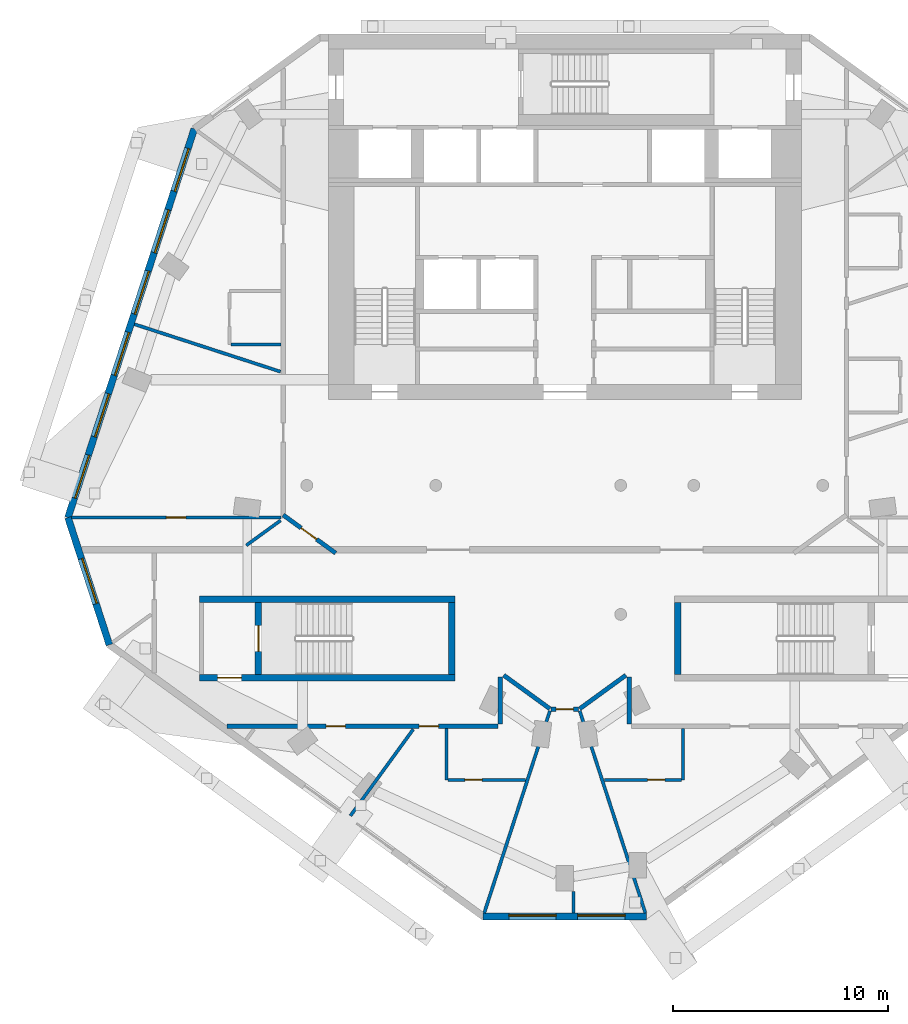
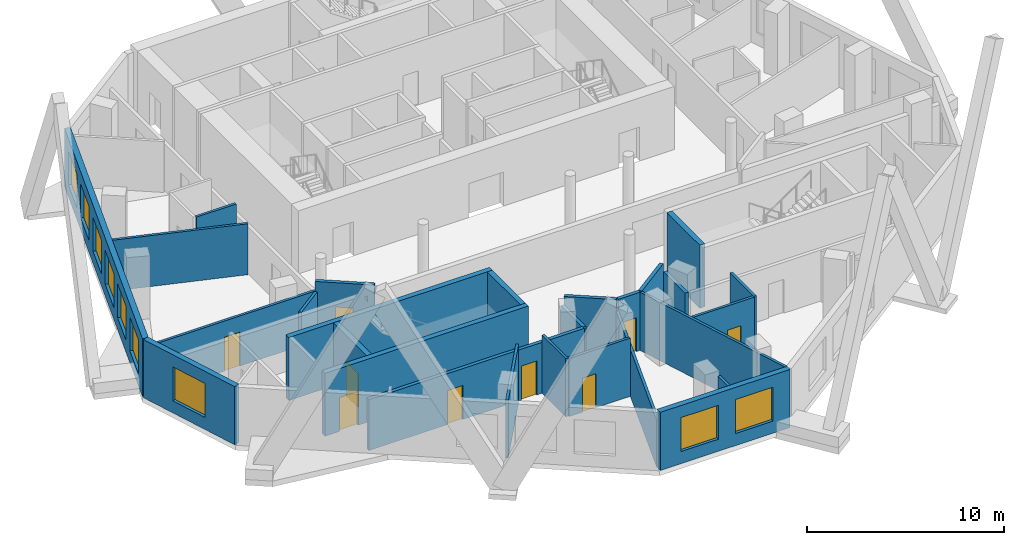
# One storey, part 3 of 9: 27 walls, 9 doors, 9 windows, 18 openings.
"""IFC4 building model written with IfcOpenShell, lengths in metres."""

from ifc_helpers import new_model, si_unit, direction, frame, frame_2d, origin, place, context, subcontext, project, spatial, rectangle, extrude, material, layer, layer_set, type_object, element, fill, save


model = new_model("IFC4")

# Units and contexts
model_context = context("Model", 3, precision=1e-05, world=origin(), true_north=direction((0.0, 1.0)))
body_context = subcontext(model_context, "Body", "Model", "MODEL_VIEW")
ifc_project = project(units=[si_unit("LENGTHUNIT", "METRE"), si_unit("AREAUNIT", "SQUARE_METRE"), si_unit("VOLUMEUNIT", "CUBIC_METRE"), si_unit("PLANEANGLEUNIT", "RADIAN"), si_unit("MASSUNIT", "GRAM", prefix="KILO")], contexts=[model_context])

# Site, building, storey
site_placement = place(None, origin())
site = spatial("IfcSite", under=ifc_project, at=site_placement, CompositionType="ELEMENT")
building_placement = place(site_placement, origin())
building = spatial("IfcBuilding", under=site, at=building_placement, Name="White Candle Pilgrim Tower", CompositionType="ELEMENT")
storey_placement = place(building_placement, frame((0.0, 0.0, 271.699951171875)))
storey = spatial("IfcBuildingStorey", under=building, at=storey_placement, Name="L64", CompositionType="ELEMENT", Elevation=271.699951171875)

# Wall, opening, door
ifc_material_1 = material(Name="Gypsum board on steel studs", Category="steel")
ifc_layer_1 = layer(ifc_material_1, 0.199951171875)
ifc_layer_set_1 = layer_set([ifc_layer_1], Name="Corridor wall 200 mm EI 45")
wall_type_1 = type_object("IfcWallType", Name="Corridor wall 200 mm EI 45", PredefinedType="PARTITIONING", material=ifc_layer_set_1)
wall_1_placement = place(storey_placement, frame((59.342041015625, 63.85009765625, 0.0), z_axis=(0.0, 0.0, 1.0), x_axis=(-0.809040258859, 0.587753230144, 0.0)))
wall_1 = element("IfcWall", 1, at=wall_1_placement, inside=storey, type_object=wall_type_1, Name="WL-L64-P002", PredefinedType="PARTITIONING", context=body_context, shape_type="SweptSolid", body=[
    extrude(rectangle(XDim=3.0185546875, YDim=0.199951171875, at=frame_2d((1.50927734375, 0.0))), origin(), (0.0, 0.0, 1.0), 3.60009765625),
])
opening_1_placement = place(wall_1_placement, frame((1.092041015625, 0.0, 0.0)))
opening_1 = element("IfcOpeningElement", 2, at=opening_1_placement, cuts=wall_1, Name="Opening T20-123", PredefinedType="OPENING", context=body_context, shape_type="SweptSolid", body=[
    extrude(rectangle(XDim=0.89990234375, YDim=2.10009765625, at=frame_2d((0.449951171875, 1.050048828125))), frame((0.0, 0.10986328125, 0.0), z_axis=(0.0, -1.0, 0.0), x_axis=(1.0, 0.0, 0.0)), (0.0, 0.0, 1.0), 0.219970703125),
])
ifc_material_2 = material(Name="Steel door leaf", Category="steel")
door_type_1 = type_object("IfcDoorType", Name="Fire door 900 x 2100 EI 30", OperationType="NOTDEFINED", PredefinedType="DOOR", material=ifc_material_2)
door_1_placement = place(opening_1_placement, origin())
door_1 = element("IfcDoor", 3, at=door_1_placement, inside=storey, type_object=door_type_1, Name="Door T20-123", OperationType="SINGLE_SWING_LEFT", OverallHeight=2.10009765625, OverallWidth=0.89990234375, PredefinedType="DOOR", context=body_context, shape_type="SweptSolid", body=[
    extrude(rectangle(XDim=0.89990234375, YDim=2.10009765625, at=frame_2d((0.449951171875, 1.050048828125))), frame((0.0, 0.02490234375, 0.0), z_axis=(0.0, -1.0, 0.0), x_axis=(1.0, 0.0, 0.0)), (0.0, 0.0, 1.0), 0.050048828125),
])
fill(opening_1, door_1)

# Walls
wall_2_placement = place(storey_placement, frame((73.0, 55.89990234375, 0.0), z_axis=(0.0, 0.0, 1.0), x_axis=(0.0, 1.0, 0.0)))
element("IfcWall", 4, at=wall_2_placement, inside=storey, type_object=wall_type_1, Name="WL-L64-P008", PredefinedType="PARTITIONING", context=body_context, shape_type="SweptSolid", body=[
    extrude(rectangle(XDim=2.190185546875, YDim=0.199951171875, at=frame_2d((1.09521484375, 0.0))), origin(), (0.0, 0.0, 1.0), 3.10009765625),
])
wall_3_placement = place(storey_placement, frame((72.84130859375, 58.1708984375, 0.0), z_axis=(0.0, 0.0, 1.0), x_axis=(-0.809034251868, -0.587761498657, 0.0)))
element("IfcWall", 5, at=wall_3_placement, inside=storey, type_object=wall_type_1, Name="WL-L64-P009", PredefinedType="PARTITIONING", context=body_context, shape_type="SweptSolid", body=[
    extrude(rectangle(XDim=2.654541015625, YDim=0.199951171875, at=frame_2d((1.3271484375, 0.0))), origin(), (0.0, 0.0, 1.0), 3.60009765625),
])

# Wall, opening, door
wall_4_placement = place(storey_placement, frame((70.635009765625, 56.591552734375, 0.0), z_axis=(0.0, 0.0, 1.0), x_axis=(-1.0, 0.0, 0.0)))
wall_4 = element("IfcWall", 6, at=wall_4_placement, inside=storey, type_object=wall_type_1, Name="WL-L64-P010", PredefinedType="PARTITIONING", context=body_context, shape_type="SweptSolid", body=[
    extrude(rectangle(XDim=1.27001953125, YDim=0.199951171875, at=frame_2d((0.635009765625, 0.0))), origin(), (0.0, 0.0, 1.0), 3.60009765625),
])
opening_2_placement = place(wall_4_placement, frame((0.23486328125, 0.0, 0.0)))
opening_2 = element("IfcOpeningElement", 7, at=opening_2_placement, cuts=wall_4, Name="Opening T20-105", PredefinedType="OPENING", context=body_context, shape_type="SweptSolid", body=[
    extrude(rectangle(XDim=0.800048828125, YDim=2.10009765625, at=frame_2d((0.39990234375, 1.050048828125))), frame((0.0, 0.10986328125, 0.0), z_axis=(0.0, -1.0, 0.0), x_axis=(1.0, 0.0, 0.0)), (0.0, 0.0, 1.0), 0.219970703125),
])
door_type_2 = type_object("IfcDoorType", Name="Fire door 800 x 2100 EI 30", OperationType="NOTDEFINED", PredefinedType="DOOR", material=ifc_material_2)
door_2_placement = place(opening_2_placement, origin())
door_2 = element("IfcDoor", 8, at=door_2_placement, inside=storey, type_object=door_type_2, Name="Door T20-105", OperationType="SINGLE_SWING_LEFT", OverallHeight=2.10009765625, OverallWidth=0.800048828125, PredefinedType="DOOR", context=body_context, shape_type="SweptSolid", body=[
    extrude(rectangle(XDim=0.800048828125, YDim=2.10009765625, at=frame_2d((0.39990234375, 1.050048828125))), frame((0.0, 0.02490234375, 0.0), z_axis=(0.0, -1.0, 0.0), x_axis=(1.0, 0.0, 0.0)), (0.0, 0.0, 1.0), 0.050048828125),
])
fill(opening_2, door_2)

# Walls
wall_5_placement = place(storey_placement, frame((69.306396484375, 56.610595703125, 0.0), z_axis=(0.0, 0.0, 1.0), x_axis=(-0.809034251868, 0.587761498657, 0.0)))
element("IfcWall", 9, at=wall_5_placement, inside=storey, type_object=wall_type_1, Name="WL-L64-P011", PredefinedType="PARTITIONING", context=body_context, shape_type="SweptSolid", body=[
    extrude(rectangle(XDim=2.654541015625, YDim=0.199951171875, at=frame_2d((1.3271484375, 0.0))), origin(), (0.0, 0.0, 1.0), 3.60009765625),
])
wall_6_placement = place(storey_placement, frame((67.0, 58.090087890625, 0.0), z_axis=(0.0, 0.0, 1.0), x_axis=(0.0, -1.0, 0.0)))
element("IfcWall", 10, at=wall_6_placement, inside=storey, type_object=wall_type_1, Name="WL-L64-P012", PredefinedType="PARTITIONING", context=body_context, shape_type="SweptSolid", body=[
    extrude(rectangle(XDim=2.190185546875, YDim=0.199951171875, at=frame_2d((1.09521484375, 0.0))), origin(), (0.0, 0.0, 1.0), 3.10009765625),
])

# Wall, openings, doors
wall_7_placement = place(storey_placement, frame((66.89990234375, 55.800048828125, 0.0), z_axis=(0.0, 0.0, 1.0), x_axis=(-1.0, 0.0, 0.0)))
wall_7 = element("IfcWall", 11, at=wall_7_placement, inside=storey, type_object=wall_type_1, Name="WL-L64-P013", PredefinedType="PARTITIONING", context=body_context, shape_type="SweptSolid", body=[
    extrude(rectangle(XDim=12.606201171875, YDim=0.199951171875, at=frame_2d((6.30322265625, 0.0))), origin(), (0.0, 0.0, 1.0), 3.150146484375),
])
opening_3_placement = place(wall_7_placement, frame((7.1025390625, 0.0, 0.0)))
opening_3 = element("IfcOpeningElement", 12, at=opening_3_placement, cuts=wall_7, Name="Opening T20-102", PredefinedType="OPENING", context=body_context, shape_type="SweptSolid", body=[
    extrude(rectangle(XDim=0.89990234375, YDim=2.10009765625, at=frame_2d((0.449951171875, 1.050048828125))), frame((0.0, 0.10986328125, 0.0), z_axis=(0.0, -1.0, 0.0), x_axis=(1.0, 0.0, 0.0)), (0.0, 0.0, 1.0), 0.219970703125),
])
opening_4_placement = place(wall_7_placement, frame((2.7744140625, 0.0, 0.0)))
opening_4 = element("IfcOpeningElement", 13, at=opening_4_placement, cuts=wall_7, Name="Opening T20-104", PredefinedType="OPENING", context=body_context, shape_type="SweptSolid", body=[
    extrude(rectangle(XDim=0.89990234375, YDim=2.10009765625, at=frame_2d((0.449951171875, 1.050048828125))), frame((0.0, 0.10986328125, 0.0), z_axis=(0.0, -1.0, 0.0), x_axis=(1.0, 0.0, 0.0)), (0.0, 0.0, 1.0), 0.219970703125),
])
door_3_placement = place(opening_3_placement, origin())
door_3 = element("IfcDoor", 14, at=door_3_placement, inside=storey, type_object=door_type_1, Name="Door T20-102", OperationType="SINGLE_SWING_RIGHT", OverallHeight=2.10009765625, OverallWidth=0.89990234375, PredefinedType="DOOR", context=body_context, shape_type="SweptSolid", body=[
    extrude(rectangle(XDim=0.89990234375, YDim=2.10009765625, at=frame_2d((0.449951171875, 1.050048828125))), frame((0.0, 0.02490234375, 0.0), z_axis=(0.0, -1.0, 0.0), x_axis=(1.0, 0.0, 0.0)), (0.0, 0.0, 1.0), 0.050048828125),
])
fill(opening_3, door_3)
door_4_placement = place(opening_4_placement, origin())
door_4 = element("IfcDoor", 15, at=door_4_placement, inside=storey, type_object=door_type_1, Name="Door T20-104", OperationType="SINGLE_SWING_RIGHT", OverallHeight=2.10009765625, OverallWidth=0.89990234375, PredefinedType="DOOR", context=body_context, shape_type="SweptSolid", body=[
    extrude(rectangle(XDim=0.89990234375, YDim=2.10009765625, at=frame_2d((0.449951171875, 1.050048828125))), frame((0.0, 0.02490234375, 0.0), z_axis=(0.0, -1.0, 0.0), x_axis=(1.0, 0.0, 0.0)), (0.0, 0.0, 1.0), 0.050048828125),
])
fill(opening_4, door_4)

# Wall, opening, window
ifc_material_3 = material(Name="Precast concrete C40/50", Category="concrete")
ifc_layer_2 = layer(ifc_material_3, 0.320068359375)
ifc_layer_set_2 = layer_set([ifc_layer_2], Name="Facade wall EW1 precast concrete C40/50 pier wall with timber-lined reveals")
wall_type_2 = type_object("IfcWallType", Name="Facade wall EW1 precast concrete C40/50 pier wall with timber-lined reveals", PredefinedType="SOLIDWALL", material=ifc_layer_set_2)
wall_8_placement = place(storey_placement, frame((46.8896484375, 65.50634765625, 0.0), z_axis=(0.0, 0.0, 1.0), x_axis=(0.309021364513, -0.95105509634, 0.0)))
wall_8 = element("IfcWall", 16, at=wall_8_placement, inside=storey, type_object=wall_type_2, Name="Facade wall L64 W chamfer", PredefinedType="SOLIDWALL", context=body_context, shape_type="SweptSolid", body=[
    extrude(rectangle(XDim=6.22802734375, YDim=0.320068359375, at=frame_2d((3.114013671875, 0.0))), origin(), (0.0, 0.0, 1.0), 3.60009765625),
])
opening_5_placement = place(wall_8_placement, frame((2.013916015625, 0.0, 0.75)))
opening_5 = element("IfcOpeningElement", 17, at=opening_5_placement, cuts=wall_8, Name="Opening W4", PredefinedType="OPENING", context=body_context, shape_type="SweptSolid", body=[
    extrude(rectangle(XDim=2.199951171875, YDim=2.10009765625, at=frame_2d((1.10009765625, 1.050048828125))), frame((0.0, 0.169921875, 0.0), z_axis=(0.0, -1.0, 0.0), x_axis=(1.0, 0.0, 0.0)), (0.0, 0.0, 1.0), 0.340087890625),
])
ifc_material_4 = material(Name="Timber frame with triple glazing", Category="wood")
window_type_1 = type_object("IfcWindowType", Name="Window W4 2200x2100 timber frame triple glazing", PartitioningType="SINGLE_PANEL", PredefinedType="WINDOW", material=ifc_material_4)
window_1_placement = place(opening_5_placement, origin())
window_1 = element("IfcWindow", 18, at=window_1_placement, inside=storey, type_object=window_type_1, Name="Window W4 L64 W chamfer 1", OverallHeight=2.10009765625, OverallWidth=2.199951171875, PartitioningType="SINGLE_PANEL", PredefinedType="WINDOW", context=body_context, shape_type="SweptSolid", body=[
    extrude(rectangle(XDim=2.199951171875, YDim=2.10009765625, at=frame_2d((1.10009765625, 1.050048828125))), frame((0.0, 0.070068359375, 0.0), z_axis=(0.0, -1.0, 0.0), x_axis=(1.0, 0.0, 0.0)), (0.0, 0.0, 1.0), 0.06005859375),
])
fill(opening_5, window_1)

# Wall, openings, windows
wall_9_placement = place(storey_placement, frame((66.200439453125, 46.951416015625, 0.0), z_axis=(0.0, 0.0, 1.0), x_axis=(1.0, 0.0, 0.0)))
wall_9 = element("IfcWall", 19, at=wall_9_placement, inside=storey, type_object=wall_type_2, Name="Facade wall L64 S chamfer", PredefinedType="SOLIDWALL", context=body_context, shape_type="SweptSolid", body=[
    extrude(rectangle(XDim=7.59912109375, YDim=0.320068359375, at=frame_2d((3.799560546875, 0.0))), origin(), (0.0, 0.0, 1.0), 3.60009765625),
])
opening_6_placement = place(wall_9_placement, frame((1.19970703125, 0.0, 0.75)))
opening_6 = element("IfcOpeningElement", 20, at=opening_6_placement, cuts=wall_9, Name="Opening W4", PredefinedType="OPENING", context=body_context, shape_type="SweptSolid", body=[
    extrude(rectangle(XDim=2.199951171875, YDim=2.10009765625, at=frame_2d((1.10009765625, 1.050048828125))), frame((0.0, 0.169921875, 0.0), z_axis=(0.0, -1.0, 0.0), x_axis=(1.0, 0.0, 0.0)), (0.0, 0.0, 1.0), 0.340087890625),
])
opening_7_placement = place(wall_9_placement, frame((4.399658203125, 0.0, 0.75)))
opening_7 = element("IfcOpeningElement", 21, at=opening_7_placement, cuts=wall_9, Name="Opening W4", PredefinedType="OPENING", context=body_context, shape_type="SweptSolid", body=[
    extrude(rectangle(XDim=2.199951171875, YDim=2.10009765625, at=frame_2d((1.10009765625, 1.050048828125))), frame((0.0, 0.169921875, 0.0), z_axis=(0.0, -1.0, 0.0), x_axis=(1.0, 0.0, 0.0)), (0.0, 0.0, 1.0), 0.340087890625),
])
window_2_placement = place(opening_6_placement, origin())
window_2 = element("IfcWindow", 22, at=window_2_placement, inside=storey, type_object=window_type_1, Name="Window W4 L64 S chamfer 1", OverallHeight=2.10009765625, OverallWidth=2.199951171875, PartitioningType="SINGLE_PANEL", PredefinedType="WINDOW", context=body_context, shape_type="SweptSolid", body=[
    extrude(rectangle(XDim=2.199951171875, YDim=2.10009765625, at=frame_2d((1.10009765625, 1.050048828125))), frame((0.0, 0.070068359375, 0.0), z_axis=(0.0, -1.0, 0.0), x_axis=(1.0, 0.0, 0.0)), (0.0, 0.0, 1.0), 0.06005859375),
])
fill(opening_6, window_2)
window_3_placement = place(opening_7_placement, origin())
window_3 = element("IfcWindow", 23, at=window_3_placement, inside=storey, type_object=window_type_1, Name="Window W4 L64 S chamfer 2", OverallHeight=2.10009765625, OverallWidth=2.199951171875, PartitioningType="SINGLE_PANEL", PredefinedType="WINDOW", context=body_context, shape_type="SweptSolid", body=[
    extrude(rectangle(XDim=2.199951171875, YDim=2.10009765625, at=frame_2d((1.10009765625, 1.050048828125))), frame((0.0, 0.070068359375, 0.0), z_axis=(0.0, -1.0, 0.0), x_axis=(1.0, 0.0, 0.0)), (0.0, 0.0, 1.0), 0.06005859375),
])
fill(opening_7, window_3)

wall_10_placement = place(storey_placement, frame((52.765625, 83.590087890625, 0.0), z_axis=(0.0, 0.0, 1.0), x_axis=(-0.309027135181, -0.951053221288, 0.0)))
wall_10 = element("IfcWall", 24, at=wall_10_placement, inside=storey, type_object=wall_type_2, Name="Facade wall L64 WNW", PredefinedType="SOLIDWALL", context=body_context, shape_type="SweptSolid", body=[
    extrude(rectangle(XDim=19.014404296875, YDim=0.320068359375, at=frame_2d((9.50732421875, 0.0))), origin(), (0.0, 0.0, 1.0), 3.60009765625),
])
opening_8_placement = place(wall_10_placement, frame((0.957275390625, 0.0, 0.75)))
opening_8 = element("IfcOpeningElement", 25, at=opening_8_placement, cuts=wall_10, Name="Opening W3", PredefinedType="OPENING", context=body_context, shape_type="SweptSolid", body=[
    extrude(rectangle(XDim=2.10009765625, YDim=2.10009765625, at=frame_2d((1.050048828125, 1.050048828125))), frame((0.0, 0.169921875, 0.0), z_axis=(0.0, -1.0, 0.0), x_axis=(1.0, 0.0, 0.0)), (0.0, 0.0, 1.0), 0.340087890625),
])
opening_9_placement = place(wall_10_placement, frame((3.957275390625, 0.0, 0.75)))
opening_9 = element("IfcOpeningElement", 26, at=opening_9_placement, cuts=wall_10, Name="Opening W3", PredefinedType="OPENING", context=body_context, shape_type="SweptSolid", body=[
    extrude(rectangle(XDim=2.10009765625, YDim=2.10009765625, at=frame_2d((1.050048828125, 1.050048828125))), frame((0.0, 0.169921875, 0.0), z_axis=(0.0, -1.0, 0.0), x_axis=(1.0, 0.0, 0.0)), (0.0, 0.0, 1.0), 0.340087890625),
])
opening_10_placement = place(wall_10_placement, frame((6.957275390625, 0.0, 0.75)))
opening_10 = element("IfcOpeningElement", 27, at=opening_10_placement, cuts=wall_10, Name="Opening W3", PredefinedType="OPENING", context=body_context, shape_type="SweptSolid", body=[
    extrude(rectangle(XDim=2.10009765625, YDim=2.10009765625, at=frame_2d((1.050048828125, 1.050048828125))), frame((0.0, 0.169921875, 0.0), z_axis=(0.0, -1.0, 0.0), x_axis=(1.0, 0.0, 0.0)), (0.0, 0.0, 1.0), 0.340087890625),
])
opening_11_placement = place(wall_10_placement, frame((9.957275390625, 0.0, 0.75)))
opening_11 = element("IfcOpeningElement", 28, at=opening_11_placement, cuts=wall_10, Name="Opening W3", PredefinedType="OPENING", context=body_context, shape_type="SweptSolid", body=[
    extrude(rectangle(XDim=2.10009765625, YDim=2.10009765625, at=frame_2d((1.050048828125, 1.050048828125))), frame((0.0, 0.169921875, 0.0), z_axis=(0.0, -1.0, 0.0), x_axis=(1.0, 0.0, 0.0)), (0.0, 0.0, 1.0), 0.340087890625),
])
opening_12_placement = place(wall_10_placement, frame((12.957275390625, 0.0, 0.75)))
opening_12 = element("IfcOpeningElement", 29, at=opening_12_placement, cuts=wall_10, Name="Opening W3", PredefinedType="OPENING", context=body_context, shape_type="SweptSolid", body=[
    extrude(rectangle(XDim=2.10009765625, YDim=2.10009765625, at=frame_2d((1.050048828125, 1.050048828125))), frame((0.0, 0.169921875, 0.0), z_axis=(0.0, -1.0, 0.0), x_axis=(1.0, 0.0, 0.0)), (0.0, 0.0, 1.0), 0.340087890625),
])
opening_13_placement = place(wall_10_placement, frame((15.957275390625, 0.0, 0.75)))
opening_13 = element("IfcOpeningElement", 30, at=opening_13_placement, cuts=wall_10, Name="Opening W3", PredefinedType="OPENING", context=body_context, shape_type="SweptSolid", body=[
    extrude(rectangle(XDim=2.10009765625, YDim=2.10009765625, at=frame_2d((1.050048828125, 1.050048828125))), frame((0.0, 0.169921875, 0.0), z_axis=(0.0, -1.0, 0.0), x_axis=(1.0, 0.0, 0.0)), (0.0, 0.0, 1.0), 0.340087890625),
])
window_type_2 = type_object("IfcWindowType", Name="Window W3 2100x2100 timber frame triple glazing", PartitioningType="SINGLE_PANEL", PredefinedType="WINDOW", material=ifc_material_4)
window_4_placement = place(opening_8_placement, origin())
window_4 = element("IfcWindow", 31, at=window_4_placement, inside=storey, type_object=window_type_2, Name="Window W3 L64 WNW 1", OverallHeight=2.10009765625, OverallWidth=2.10009765625, PartitioningType="SINGLE_PANEL", PredefinedType="WINDOW", context=body_context, shape_type="SweptSolid", body=[
    extrude(rectangle(XDim=2.10009765625, YDim=2.10009765625, at=frame_2d((1.050048828125, 1.050048828125))), frame((0.0, 0.070068359375, 0.0), z_axis=(0.0, -1.0, 0.0), x_axis=(1.0, 0.0, 0.0)), (0.0, 0.0, 1.0), 0.06005859375),
])
fill(opening_8, window_4)
window_5_placement = place(opening_9_placement, origin())
window_5 = element("IfcWindow", 32, at=window_5_placement, inside=storey, type_object=window_type_2, Name="Window W3 L64 WNW 2", OverallHeight=2.10009765625, OverallWidth=2.10009765625, PartitioningType="SINGLE_PANEL", PredefinedType="WINDOW", context=body_context, shape_type="SweptSolid", body=[
    extrude(rectangle(XDim=2.10009765625, YDim=2.10009765625, at=frame_2d((1.050048828125, 1.050048828125))), frame((0.0, 0.070068359375, 0.0), z_axis=(0.0, -1.0, 0.0), x_axis=(1.0, 0.0, 0.0)), (0.0, 0.0, 1.0), 0.06005859375),
])
fill(opening_9, window_5)
window_6_placement = place(opening_10_placement, origin())
window_6 = element("IfcWindow", 33, at=window_6_placement, inside=storey, type_object=window_type_2, Name="Window W3 L64 WNW 3", OverallHeight=2.10009765625, OverallWidth=2.10009765625, PartitioningType="SINGLE_PANEL", PredefinedType="WINDOW", context=body_context, shape_type="SweptSolid", body=[
    extrude(rectangle(XDim=2.10009765625, YDim=2.10009765625, at=frame_2d((1.050048828125, 1.050048828125))), frame((0.0, 0.070068359375, 0.0), z_axis=(0.0, -1.0, 0.0), x_axis=(1.0, 0.0, 0.0)), (0.0, 0.0, 1.0), 0.06005859375),
])
fill(opening_10, window_6)
window_7_placement = place(opening_11_placement, origin())
window_7 = element("IfcWindow", 34, at=window_7_placement, inside=storey, type_object=window_type_2, Name="Window W3 L64 WNW 4", OverallHeight=2.10009765625, OverallWidth=2.10009765625, PartitioningType="SINGLE_PANEL", PredefinedType="WINDOW", context=body_context, shape_type="SweptSolid", body=[
    extrude(rectangle(XDim=2.10009765625, YDim=2.10009765625, at=frame_2d((1.050048828125, 1.050048828125))), frame((0.0, 0.070068359375, 0.0), z_axis=(0.0, -1.0, 0.0), x_axis=(1.0, 0.0, 0.0)), (0.0, 0.0, 1.0), 0.06005859375),
])
fill(opening_11, window_7)
window_8_placement = place(opening_12_placement, origin())
window_8 = element("IfcWindow", 35, at=window_8_placement, inside=storey, type_object=window_type_2, Name="Window W3 L64 WNW 5", OverallHeight=2.10009765625, OverallWidth=2.10009765625, PartitioningType="SINGLE_PANEL", PredefinedType="WINDOW", context=body_context, shape_type="SweptSolid", body=[
    extrude(rectangle(XDim=2.10009765625, YDim=2.10009765625, at=frame_2d((1.050048828125, 1.050048828125))), frame((0.0, 0.070068359375, 0.0), z_axis=(0.0, -1.0, 0.0), x_axis=(1.0, 0.0, 0.0)), (0.0, 0.0, 1.0), 0.06005859375),
])
fill(opening_12, window_8)
window_9_placement = place(opening_13_placement, origin())
window_9 = element("IfcWindow", 36, at=window_9_placement, inside=storey, type_object=window_type_2, Name="Window W3 L64 WNW 6", OverallHeight=2.10009765625, OverallWidth=2.10009765625, PartitioningType="SINGLE_PANEL", PredefinedType="WINDOW", context=body_context, shape_type="SweptSolid", body=[
    extrude(rectangle(XDim=2.10009765625, YDim=2.10009765625, at=frame_2d((1.050048828125, 1.050048828125))), frame((0.0, 0.070068359375, 0.0), z_axis=(0.0, -1.0, 0.0), x_axis=(1.0, 0.0, 0.0)), (0.0, 0.0, 1.0), 0.06005859375),
])
fill(opening_13, window_9)

# Wall, opening, door
ifc_layer_3 = layer(ifc_material_1, 0.14990234375)
ifc_layer_set_3 = layer_set([ifc_layer_3], Name="Partition 150 mm EI 60")
wall_type_3 = type_object("IfcWallType", Name="Partition 150 mm EI 60", PredefinedType="PARTITIONING", material=ifc_layer_set_3)
wall_11_placement = place(storey_placement, frame((47.05810546875, 65.506103515625, 0.0), z_axis=(0.0, 0.0, 1.0), x_axis=(1.0, 0.0, 0.0)))
wall_11 = element("IfcWall", 37, at=wall_11_placement, inside=storey, type_object=wall_type_3, Name="WL-L64-P016", PredefinedType="PARTITIONING", context=body_context, shape_type="SweptSolid", body=[
    extrude(rectangle(XDim=9.741943359375, YDim=0.14990234375, at=frame_2d((4.87109375, 0.0))), origin(), (0.0, 0.0, 1.0), 3.10009765625),
])
opening_14_placement = place(wall_11_placement, frame((4.4130859375, 0.0, 0.0)))
opening_14 = element("IfcOpeningElement", 38, at=opening_14_placement, cuts=wall_11, Name="Opening T20-124", PredefinedType="OPENING", context=body_context, shape_type="SweptSolid", body=[
    extrude(rectangle(XDim=0.89990234375, YDim=2.10009765625, at=frame_2d((0.449951171875, 1.050048828125))), frame((0.0, 0.0849609375, 0.0), z_axis=(0.0, -1.0, 0.0), x_axis=(1.0, 0.0, 0.0)), (0.0, 0.0, 1.0), 0.169921875),
])
door_5_placement = place(opening_14_placement, frame((0.89990234375, 0.0, 0.0), z_axis=(0.0, 0.0, 1.0), x_axis=(-1.0, 0.0, 0.0)))
door_5 = element("IfcDoor", 39, at=door_5_placement, inside=storey, type_object=door_type_1, Name="Door T20-124", OperationType="SINGLE_SWING_LEFT", OverallHeight=2.10009765625, OverallWidth=0.89990234375, PredefinedType="DOOR", context=body_context, shape_type="SweptSolid", body=[
    extrude(rectangle(XDim=0.89990234375, YDim=2.10009765625, at=frame_2d((0.449951171875, 1.050048828125))), frame((0.0, 0.02490234375, 0.0), z_axis=(0.0, -1.0, 0.0), x_axis=(1.0, 0.0, 0.0)), (0.0, 0.0, 1.0), 0.050048828125),
])
fill(opening_14, door_5)

# Walls
wall_12_placement = place(storey_placement, frame((55.183349609375, 64.210693359375, 0.0), z_axis=(0.0, 0.0, 1.0), x_axis=(0.80900885131, 0.587796460097, 0.0)))
element("IfcWall", 40, at=wall_12_placement, inside=storey, type_object=wall_type_3, Name="WL-L64-P018", PredefinedType="PARTITIONING", context=body_context, shape_type="SweptSolid", body=[
    extrude(rectangle(XDim=1.973388671875, YDim=0.14990234375, at=frame_2d((0.98681640625, 0.0))), origin(), (0.0, 0.0, 1.0), 3.10009765625),
])
wall_13_placement = place(storey_placement, frame((66.25244140625, 47.111572265625, 0.0), z_axis=(0.0, 0.0, 1.0), x_axis=(0.309022391452, 0.951054762661, 0.0)))
element("IfcWall", 41, at=wall_13_placement, inside=storey, type_object=wall_type_3, Name="WL-L64-P019", PredefinedType="PARTITIONING", context=body_context, shape_type="SweptSolid", body=[
    extrude(rectangle(XDim=9.882568359375, YDim=0.14990234375, at=frame_2d((4.94140625, 0.0))), origin(), (0.0, 0.0, 1.0), 2.900146484375),
])
wall_14_placement = place(storey_placement, frame((73.74755859375, 47.111572265625, 0.0), z_axis=(0.0, 0.0, 1.0), x_axis=(-0.309022391452, 0.951054762661, 0.0)))
element("IfcWall", 42, at=wall_14_placement, inside=storey, type_object=wall_type_3, Name="WL-L64-P020", PredefinedType="PARTITIONING", context=body_context, shape_type="SweptSolid", body=[
    extrude(rectangle(XDim=9.882568359375, YDim=0.14990234375, at=frame_2d((4.94140625, 0.0))), origin(), (0.0, 0.0, 1.0), 3.60009765625),
])
wall_15_placement = place(storey_placement, frame((49.979736328125, 74.498779296875, 0.0), z_axis=(0.0, 0.0, 1.0), x_axis=(0.951057412442, -0.309014236304, 0.0)))
element("IfcWall", 43, at=wall_15_placement, inside=storey, type_object=wall_type_3, Name="WL-L64-P025", PredefinedType="PARTITIONING", context=body_context, shape_type="SweptSolid", body=[
    extrude(rectangle(XDim=7.14697265625, YDim=0.14990234375, at=frame_2d((3.573486328125, 0.0))), origin(), (0.0, 0.0, 1.0), 3.150146484375),
])
wall_16_placement = place(storey_placement, frame((56.800048828125, 73.55029296875, 0.0), z_axis=(0.0, 0.0, 1.0), x_axis=(-1.0, 0.0, 0.0)))
element("IfcWall", 44, at=wall_16_placement, inside=storey, type_object=wall_type_3, Name="WL-L64-P028", PredefinedType="PARTITIONING", context=body_context, shape_type="SweptSolid", body=[
    extrude(rectangle(XDim=2.324951171875, YDim=0.14990234375, at=frame_2d((1.16259765625, 0.0))), origin(), (0.0, 0.0, 1.0), 3.60009765625),
])
wall_17_placement = place(storey_placement, frame((60.0283203125, 51.633544921875, 0.0), z_axis=(0.0, 0.0, 1.0), x_axis=(0.587800848895, 0.80900566255, 0.0)))
element("IfcWall", 45, at=wall_17_placement, inside=storey, type_object=wall_type_3, Name="WL-L64-P030", PredefinedType="PARTITIONING", context=body_context, shape_type="SweptSolid", body=[
    extrude(rectangle(XDim=4.97216796875, YDim=0.14990234375, at=frame_2d((2.486083984375, 0.0))), origin(), (0.0, 0.0, 1.0), 3.60009765625),
])
wall_18_placement = place(storey_placement, frame((64.5, 55.699951171875, 0.0), z_axis=(0.0, 0.0, 1.0), x_axis=(0.0, -1.0, 0.0)))
element("IfcWall", 46, at=wall_18_placement, inside=storey, type_object=wall_type_3, Name="WL-L64-P031", PredefinedType="PARTITIONING", context=body_context, shape_type="SweptSolid", body=[
    extrude(rectangle(XDim=2.39990234375, YDim=0.14990234375, at=frame_2d((1.199951171875, 0.0))), origin(), (0.0, 0.0, 1.0), 3.60009765625),
])

# Wall, opening, door
wall_19_placement = place(storey_placement, frame((68.159912109375, 53.300048828125, 0.0), z_axis=(0.0, 0.0, 1.0), x_axis=(-1.0, 0.0, 0.0)))
wall_19 = element("IfcWall", 47, at=wall_19_placement, inside=storey, type_object=wall_type_3, Name="WL-L64-P032", PredefinedType="PARTITIONING", context=body_context, shape_type="SweptSolid", body=[
    extrude(rectangle(XDim=3.5849609375, YDim=0.14990234375, at=frame_2d((1.79248046875, 0.0))), origin(), (0.0, 0.0, 1.0), 3.60009765625),
])
opening_15_placement = place(wall_19_placement, frame((2.010009765625, 0.0, 0.0)))
opening_15 = element("IfcOpeningElement", 48, at=opening_15_placement, cuts=wall_19, Name="Opening T20-103", PredefinedType="OPENING", context=body_context, shape_type="SweptSolid", body=[
    extrude(rectangle(XDim=0.800048828125, YDim=2.10009765625, at=frame_2d((0.39990234375, 1.050048828125))), frame((0.0, 0.0849609375, 0.0), z_axis=(0.0, -1.0, 0.0), x_axis=(1.0, 0.0, 0.0)), (0.0, 0.0, 1.0), 0.169921875),
])
door_6_placement = place(opening_15_placement, origin())
door_6 = element("IfcDoor", 49, at=door_6_placement, inside=storey, type_object=door_type_2, Name="Door T20-103", OperationType="SINGLE_SWING_LEFT", OverallHeight=2.10009765625, OverallWidth=0.800048828125, PredefinedType="DOOR", context=body_context, shape_type="SweptSolid", body=[
    extrude(rectangle(XDim=0.800048828125, YDim=2.10009765625, at=frame_2d((0.39990234375, 1.050048828125))), frame((0.0, 0.02490234375, 0.0), z_axis=(0.0, -1.0, 0.0), x_axis=(1.0, 0.0, 0.0)), (0.0, 0.0, 1.0), 0.050048828125),
])
fill(opening_15, door_6)

# Wall
wall_20_placement = place(storey_placement, frame((75.5, 55.699951171875, 0.0), z_axis=(0.0, 0.0, 1.0), x_axis=(0.0, -1.0, 0.0)))
element("IfcWall", 50, at=wall_20_placement, inside=storey, type_object=wall_type_3, Name="WL-L64-P034", PredefinedType="PARTITIONING", context=body_context, shape_type="SweptSolid", body=[
    extrude(rectangle(XDim=2.39990234375, YDim=0.14990234375, at=frame_2d((1.199951171875, 0.0))), origin(), (0.0, 0.0, 1.0), 3.60009765625),
])

# Wall, opening, door
wall_21_placement = place(storey_placement, frame((71.840087890625, 53.300048828125, 0.0), z_axis=(0.0, 0.0, 1.0), x_axis=(1.0, 0.0, 0.0)))
wall_21 = element("IfcWall", 51, at=wall_21_placement, inside=storey, type_object=wall_type_3, Name="WL-L64-P035", PredefinedType="PARTITIONING", context=body_context, shape_type="SweptSolid", body=[
    extrude(rectangle(XDim=3.5849609375, YDim=0.14990234375, at=frame_2d((1.79248046875, 0.0))), origin(), (0.0, 0.0, 1.0), 3.60009765625),
])
opening_16_placement = place(wall_21_placement, frame((2.010009765625, 0.0, 0.0)))
opening_16 = element("IfcOpeningElement", 52, at=opening_16_placement, cuts=wall_21, Name="Opening T20-106", PredefinedType="OPENING", context=body_context, shape_type="SweptSolid", body=[
    extrude(rectangle(XDim=0.800048828125, YDim=2.10009765625, at=frame_2d((0.39990234375, 1.050048828125))), frame((0.0, 0.0849609375, 0.0), z_axis=(0.0, -1.0, 0.0), x_axis=(1.0, 0.0, 0.0)), (0.0, 0.0, 1.0), 0.169921875),
])
door_7_placement = place(opening_16_placement, frame((0.800048828125, 0.0, 0.0), z_axis=(0.0, 0.0, 1.0), x_axis=(-1.0, 0.0, 0.0)))
door_7 = element("IfcDoor", 53, at=door_7_placement, inside=storey, type_object=door_type_2, Name="Door T20-106", OperationType="SINGLE_SWING_LEFT", OverallHeight=2.10009765625, OverallWidth=0.800048828125, PredefinedType="DOOR", context=body_context, shape_type="SweptSolid", body=[
    extrude(rectangle(XDim=0.800048828125, YDim=2.10009765625, at=frame_2d((0.39990234375, 1.050048828125))), frame((0.0, 0.02490234375, 0.0), z_axis=(0.0, -1.0, 0.0), x_axis=(1.0, 0.0, 0.0)), (0.0, 0.0, 1.0), 0.050048828125),
])
fill(opening_16, door_7)

# Wall
wall_22_placement = place(storey_placement, frame((70.409912109375, 48.10009765625, 0.0), z_axis=(0.0, 0.0, 1.0), x_axis=(0.0, -1.0, 0.0)))
element("IfcWall", 54, at=wall_22_placement, inside=storey, type_object=wall_type_3, Name="WL-L64-P044", PredefinedType="PARTITIONING", context=body_context, shape_type="SweptSolid", body=[
    extrude(rectangle(XDim=0.988525390625, YDim=0.14990234375, at=frame_2d((0.494140625, 0.0))), origin(), (0.0, 0.0, 1.0), 3.60009765625),
])

# Wall, opening, door
ifc_material_5 = material(Name="Concrete C50/60", Category="concrete")
ifc_layer_4 = layer(ifc_material_5, 0.300048828125)
ifc_layer_set_4 = layer_set([ifc_layer_4], Name="Stair shaft wall 300 mm Concrete C50/60")
wall_type_4 = type_object("IfcWallType", Name="Stair shaft wall 300 mm Concrete C50/60", PredefinedType="SHEAR", material=ifc_layer_set_4)
wall_23_placement = place(storey_placement, frame((53.0, 58.050048828125, 0.0), z_axis=(0.0, 0.0, 1.0), x_axis=(1.0, 0.0, 0.0)))
wall_23 = element("IfcWall", 55, at=wall_23_placement, inside=storey, type_object=wall_type_4, Name="WL-L64-C01", PredefinedType="SHEAR", context=body_context, shape_type="SweptSolid", body=[
    extrude(rectangle(XDim=11.89990234375, YDim=0.300048828125, at=frame_2d((5.949951171875, 0.0))), origin(), (0.0, 0.0, 1.0), 3.900146484375),
])
opening_17_placement = place(wall_23_placement, frame((0.85009765625, 0.0, 0.0)))
opening_17 = element("IfcOpeningElement", 56, at=opening_17_placement, cuts=wall_23, Name="Opening T20-011", PredefinedType="OPENING", context=body_context, shape_type="SweptSolid", body=[
    extrude(rectangle(XDim=1.10009765625, YDim=2.10009765625, at=frame_2d((0.550048828125, 1.050048828125))), frame((0.0, 0.159912109375, 0.0), z_axis=(0.0, -1.0, 0.0), x_axis=(1.0, 0.0, 0.0)), (0.0, 0.0, 1.0), 0.320068359375),
])
door_type_3 = type_object("IfcDoorType", Name="Fire door 1100 x 2100 EI 60", OperationType="NOTDEFINED", PredefinedType="DOOR", material=ifc_material_2)
door_8_placement = place(opening_17_placement, origin())
door_8 = element("IfcDoor", 57, at=door_8_placement, inside=storey, type_object=door_type_3, Name="Door T20-011", OperationType="SINGLE_SWING_LEFT", OverallHeight=2.10009765625, OverallWidth=1.10009765625, PredefinedType="DOOR", context=body_context, shape_type="SweptSolid", body=[
    extrude(rectangle(XDim=1.10009765625, YDim=2.10009765625, at=frame_2d((0.550048828125, 1.050048828125))), frame((0.0, 0.02490234375, 0.0), z_axis=(0.0, -1.0, 0.0), x_axis=(1.0, 0.0, 0.0)), (0.0, 0.0, 1.0), 0.050048828125),
])
fill(opening_17, door_8)

wall_24_placement = place(storey_placement, frame((55.75, 58.199951171875, 0.0), z_axis=(0.0, 0.0, 1.0), x_axis=(0.0, 1.0, 0.0)))
wall_24 = element("IfcWall", 58, at=wall_24_placement, inside=storey, type_object=wall_type_4, Name="WL-L64-C04", PredefinedType="SHEAR", context=body_context, shape_type="SweptSolid", body=[
    extrude(rectangle(XDim=3.35009765625, YDim=0.300048828125, at=frame_2d((1.675048828125, 0.0))), origin(), (0.0, 0.0, 1.0), 3.900146484375),
])
opening_18_placement = place(wall_24_placement, frame((1.074951171875, 0.0, 0.0)))
opening_18 = element("IfcOpeningElement", 59, at=opening_18_placement, cuts=wall_24, Name="Opening T20-012", PredefinedType="OPENING", context=body_context, shape_type="SweptSolid", body=[
    extrude(rectangle(XDim=1.199951171875, YDim=2.10009765625, at=frame_2d((0.60009765625, 1.050048828125))), frame((0.0, 0.159912109375, 0.0), z_axis=(0.0, -1.0, 0.0), x_axis=(1.0, 0.0, 0.0)), (0.0, 0.0, 1.0), 0.320068359375),
])
door_type_4 = type_object("IfcDoorType", Name="Fire door 1200 x 2100 EI 60", OperationType="NOTDEFINED", PredefinedType="DOOR", material=ifc_material_2)
door_9_placement = place(opening_18_placement, frame((1.199951171875, 0.0, 0.0), z_axis=(0.0, 0.0, 1.0), x_axis=(-1.0, 0.0, 0.0)))
door_9 = element("IfcDoor", 60, at=door_9_placement, inside=storey, type_object=door_type_4, Name="Door T20-012", OperationType="SINGLE_SWING_LEFT", OverallHeight=2.10009765625, OverallWidth=1.199951171875, PredefinedType="DOOR", context=body_context, shape_type="SweptSolid", body=[
    extrude(rectangle(XDim=1.199951171875, YDim=2.10009765625, at=frame_2d((0.60009765625, 1.050048828125))), frame((0.0, 0.02490234375, 0.0), z_axis=(0.0, -1.0, 0.0), x_axis=(1.0, 0.0, 0.0)), (0.0, 0.0, 1.0), 0.050048828125),
])
fill(opening_18, door_9)

# Walls
for number, where, z_axis, x_axis, name in (
    (61, (64.75, 58.199951171875, 0.0), (0.0, 0.0, 1.0), (0.0, 1.0, 0.0), "WL-L64-C05"),
    (62, (75.25, 58.199951171875, 0.0), (0.0, 0.0, 1.0), (0.0, 1.0, 0.0), "WL-L64-C06"),
):
    element("IfcWall", number, at=place(storey_placement, frame(where, z_axis=z_axis, x_axis=x_axis)), inside=storey, type_object=wall_type_4, Name=name, PredefinedType="SHEAR", context=body_context, shape_type="SweptSolid", body=[
        extrude(rectangle(XDim=3.35009765625, YDim=0.300048828125, at=frame_2d((1.675048828125, 0.0))), origin(), (0.0, 0.0, 1.0), 3.900146484375),
    ])
wall_25_placement = place(storey_placement, frame((53.0, 61.699951171875, 0.0), z_axis=(0.0, 0.0, 1.0), x_axis=(1.0, 0.0, 0.0)))
element("IfcWall", 63, at=wall_25_placement, inside=storey, type_object=wall_type_4, Name="WL-L64-C09", PredefinedType="SHEAR", context=body_context, shape_type="SweptSolid", body=[
    extrude(rectangle(XDim=11.89990234375, YDim=0.300048828125, at=frame_2d((5.949951171875, 0.0))), origin(), (0.0, 0.0, 1.0), 3.900146484375),
])

save(model, "model.ifc")
